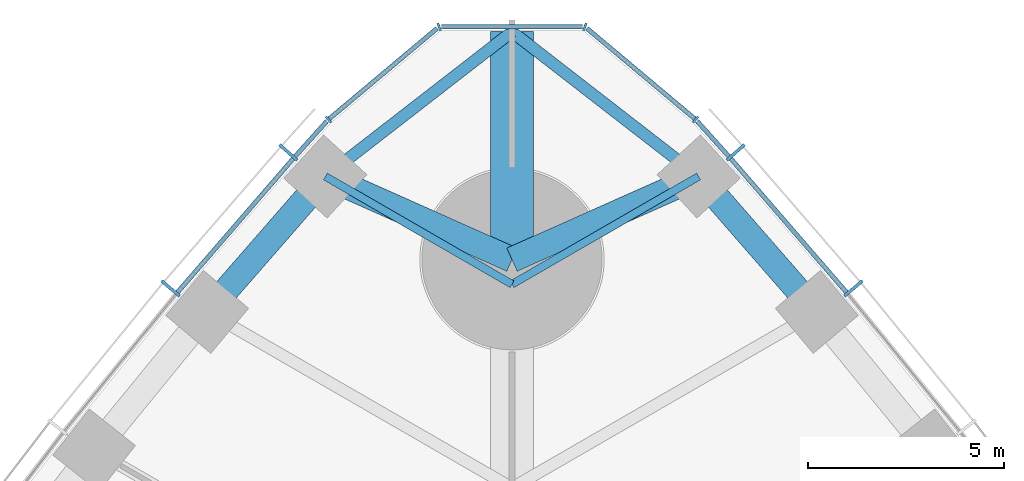
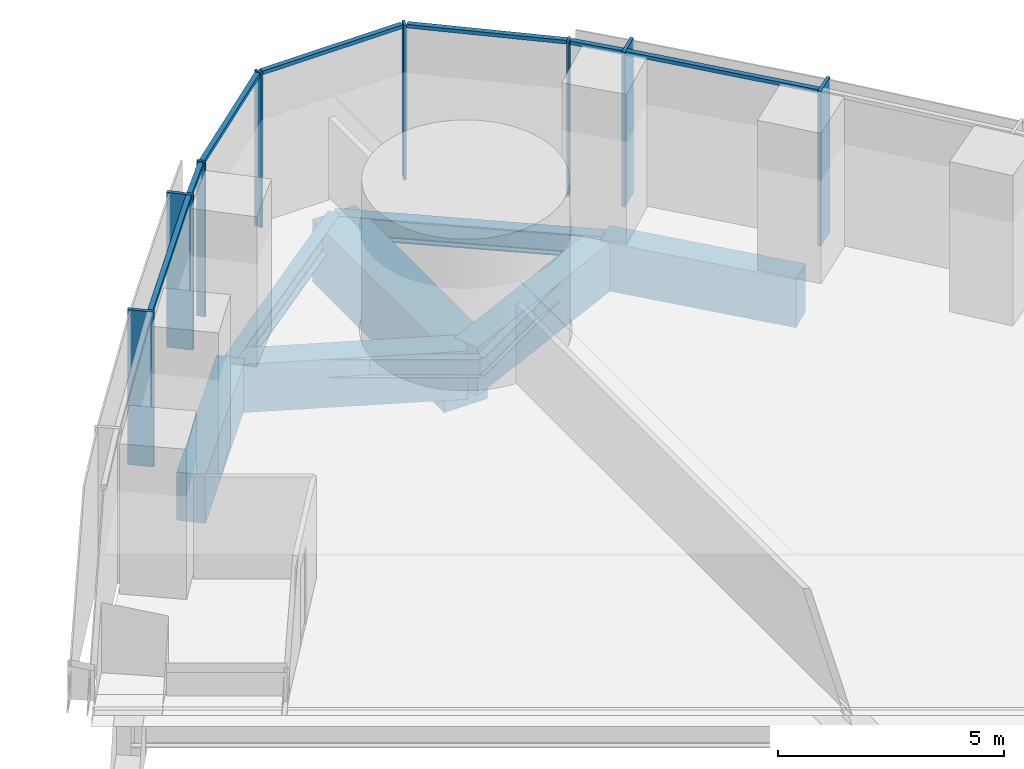
# One storey, part 7 of 18: 15 members, 9 beams, 3 elements without a shape of their own.
"""IFC4 building model written with IfcOpenShell, lengths in metres."""

from ifc_helpers import new_model, si_unit, direction, frame, origin, origin_2d, place, context, subcontext, project, spatial, rectangle, i_section, extrude, material, material_profile, profile_set, type_object, element, aggregate, save


model = new_model("IFC4")

# Units and contexts
model_context = context("Model", 3, precision=1e-05, world=origin(), true_north=direction((0.0, 1.0)))
body_context = subcontext(model_context, "Body", "Model", "MODEL_VIEW")
ifc_project = project(units=[si_unit("LENGTHUNIT", "METRE"), si_unit("AREAUNIT", "SQUARE_METRE"), si_unit("VOLUMEUNIT", "CUBIC_METRE"), si_unit("PLANEANGLEUNIT", "RADIAN"), si_unit("MASSUNIT", "GRAM", prefix="KILO")], contexts=[model_context])

# Site, building, storey
site_placement = place(None, origin())
site = spatial("IfcSite", under=ifc_project, at=site_placement, CompositionType="ELEMENT")
building_placement = place(site_placement, origin())
building = spatial("IfcBuilding", under=site, at=building_placement, Name="Trefoil Bronze Tower", CompositionType="ELEMENT")
storey_placement = place(building_placement, frame((0.0, 0.0, 29.10009765625)))
storey = spatial("IfcBuildingStorey", under=building, at=storey_placement, Name="L06", CompositionType="ELEMENT", Elevation=29.10009765625)

# Curtain wall, members
ifc_material_1 = material(Name="Tinted solar-control glass", Category="glass")
curtain_wall_type_1 = type_object("IfcCurtainWallType", Name="Bronze office curtain wall", PredefinedType="USERDEFINED", material=ifc_material_1)
curtain_wall_1_placement = place(storey_placement, origin())
curtain_wall_1 = element("IfcCurtainWall", 1, at=curtain_wall_1_placement, inside=storey, type_object=curtain_wall_type_1, Name="CW-A L06 F2", ObjectType="CURTAIN WALL", PredefinedType="USERDEFINED")
ifc_material_2 = material(Name="Bronze-finish aluminium", Category="aluminium")
ifc_material_profile_1 = material_profile(ifc_material_2, rectangle(XDim=0.60009765625, YDim=0.080078125, at=origin_2d()), Name="CW-A mullion")
ifc_profile_set_1 = profile_set([ifc_material_profile_1], Name="Bronze-finish aluminium")
member_type_1 = type_object("IfcMemberType", Name="Bronze office curtain wall mullion", PredefinedType="MULLION", material=ifc_profile_set_1)
member_1_placement = place(storey_placement, frame((8.709716796875, 36.265869140625, 0.0), z_axis=(0.0, 0.0, 1.0), x_axis=(-0.765729101889, -0.643163231629, 0.0)))
member_1 = element("IfcMember", 2, at=member_1_placement, type_object=member_type_1, Name="CW-A L06 F2 mullion 15", PredefinedType="MULLION", context=body_context, shape_type="SweptSolid", body=[
    extrude(rectangle(XDim=0.60009765625, YDim=0.080078125, at=origin_2d()), origin(), (0.0, 0.0, 1.0), 4.179931640625),
])
member_2_placement = place(storey_placement, frame((5.70654296875, 39.736328125, 0.0), z_axis=(0.0, 0.0, 1.0), x_axis=(-0.7499405861, -0.661505190698, 0.0)))
member_2 = element("IfcMember", 3, at=member_2_placement, type_object=member_type_1, Name="CW-A L06 F2 mullion 16", PredefinedType="MULLION", context=body_context, shape_type="SweptSolid", body=[
    extrude(rectangle(XDim=0.60009765625, YDim=0.080078125, at=origin_2d()), origin(), (0.0, 0.0, 1.0), 4.179931640625),
])

curtain_wall_2_placement = place(storey_placement, origin())
curtain_wall_2 = element("IfcCurtainWall", 4, at=curtain_wall_2_placement, inside=storey, type_object=curtain_wall_type_1, Name="CW-A L06 F3", ObjectType="CURTAIN WALL", PredefinedType="USERDEFINED")
member_3_placement = place(storey_placement, frame((-5.70654296875, 39.736328125, 0.0), z_axis=(0.0, 0.0, 1.0), x_axis=(0.7499405861, -0.661505190698, 0.0)))
member_3 = element("IfcMember", 5, at=member_3_placement, type_object=member_type_1, Name="CW-A L06 F3 mullion 2", PredefinedType="MULLION", context=body_context, shape_type="SweptSolid", body=[
    extrude(rectangle(XDim=0.60009765625, YDim=0.080078125, at=origin_2d()), origin(), (0.0, 0.0, 1.0), 4.179931640625),
])
member_4_placement = place(storey_placement, frame((-8.709716796875, 36.265869140625, 0.0), z_axis=(0.0, 0.0, 1.0), x_axis=(0.765729101889, -0.643163231629, 0.0)))
member_4 = element("IfcMember", 6, at=member_4_placement, type_object=member_type_1, Name="CW-A L06 F3 mullion 3", PredefinedType="MULLION", context=body_context, shape_type="SweptSolid", body=[
    extrude(rectangle(XDim=0.60009765625, YDim=0.080078125, at=origin_2d()), origin(), (0.0, 0.0, 1.0), 4.179931640625),
])

# Member
ifc_material_3 = material(Name="Bronze-finish aluminium", Category="aluminium")
ifc_material_profile_2 = material_profile(ifc_material_3, rectangle(XDim=0.1201171875, YDim=0.10009765625, at=origin_2d()), Name="CW-A transom")
ifc_profile_set_2 = profile_set([ifc_material_profile_2], Name="Bronze-finish aluminium")
member_type_2 = type_object("IfcMemberType", Name="Bronze office curtain wall transom", PredefinedType="USERDEFINED", material=ifc_profile_set_2)
member_5_placement = place(storey_placement, frame((8.529541015625, 36.16845703125, 4.1298828125), z_axis=(-0.654383303203, 0.75616300656, 0.0), x_axis=(-0.75616300656, -0.654383303203, 0.0)))
member_5 = element("IfcMember", 7, at=member_5_placement, type_object=member_type_2, Name="CW-A L06 F2 transom 15", ObjectType="TRANSOM", PredefinedType="USERDEFINED", context=body_context, shape_type="SweptSolid", body=[
    extrude(rectangle(XDim=0.1201171875, YDim=0.10009765625, at=origin_2d()), origin(), (0.0, 0.0, 1.0), 4.50244140625),
])

member_6_placement = place(storey_placement, frame((5.529052734375, 39.634521484375, 4.1298828125), z_axis=(-0.66858567461, 0.743635122695, 0.0), x_axis=(-0.743635122695, -0.66858567461, 0.0)))
member_6 = element("IfcMember", 8, at=member_6_placement, type_object=member_type_2, Name="CW-A L06 F2 transom 16", ObjectType="TRANSOM", PredefinedType="USERDEFINED", context=body_context, shape_type="SweptSolid", body=[
    extrude(rectangle(XDim=0.1201171875, YDim=0.10009765625, at=origin_2d()), origin(), (0.0, 0.0, 1.0), 1.210205078125),
])

aggregate(curtain_wall_1, [member_1, member_2, member_5, member_6])

member_7_placement = place(storey_placement, frame((-4.719970703125, 40.534423828125, 4.1298828125), z_axis=(-0.66858567461, -0.743635122695, 0.0), x_axis=(0.743635122695, -0.66858567461, 0.0)))
member_7 = element("IfcMember", 9, at=member_7_placement, type_object=member_type_2, Name="CW-A L06 F3 transom 1", ObjectType="TRANSOM", PredefinedType="USERDEFINED", context=body_context, shape_type="SweptSolid", body=[
    extrude(rectangle(XDim=0.1201171875, YDim=0.10009765625, at=origin_2d()), origin(), (0.0, 0.0, 1.0), 1.210205078125),
])

member_8_placement = place(storey_placement, frame((-5.583251953125, 39.572998046875, 4.1298828125), z_axis=(-0.654383303203, -0.75616300656, 0.0), x_axis=(0.75616300656, -0.654383303203, 0.0)))
member_8 = element("IfcMember", 10, at=member_8_placement, type_object=member_type_2, Name="CW-A L06 F3 transom 2", ObjectType="TRANSOM", PredefinedType="USERDEFINED", context=body_context, shape_type="SweptSolid", body=[
    extrude(rectangle(XDim=0.1201171875, YDim=0.10009765625, at=origin_2d()), origin(), (0.0, 0.0, 1.0), 4.50244140625),
])

aggregate(curtain_wall_2, [member_3, member_4, member_7, member_8])

# Curtain wall, members
ifc_material_4 = material(Name="Tinted solar-control glass", Category="glass")
curtain_wall_type_2 = type_object("IfcCurtainWallType", Name="Bronze rounded corner curtain wall", PredefinedType="USERDEFINED", material=ifc_material_4)
curtain_wall_3_placement = place(storey_placement, origin())
curtain_wall_3 = element("IfcCurtainWall", 11, at=curtain_wall_3_placement, inside=storey, type_object=curtain_wall_type_2, Name="CW-B L06 K2", ObjectType="CURTAIN WALL", PredefinedType="USERDEFINED")
ifc_material_5 = material(Name="Bronze-finish aluminium", Category="aluminium")
ifc_material_profile_3 = material_profile(ifc_material_5, rectangle(XDim=0.199951171875, YDim=0.06005859375, at=origin_2d()), Name="CW-B mullion")
ifc_profile_set_3 = profile_set([ifc_material_profile_3], Name="Bronze-finish aluminium")
member_type_3 = type_object("IfcMemberType", Name="Bronze rounded corner curtain wall mullion", PredefinedType="MULLION", material=ifc_profile_set_3)
member_9_placement = place(storey_placement, frame((4.68310546875, 40.573974609375, 0.0), z_axis=(0.0, 0.0, 1.0), x_axis=(-0.642787609687, -0.766044443119, 0.0)))
member_9 = element("IfcMember", 12, at=member_9_placement, type_object=member_type_3, Name="CW-B L06 K2 mullion 1", PredefinedType="MULLION", context=body_context, shape_type="SweptSolid", body=[
    extrude(rectangle(XDim=0.199951171875, YDim=0.06005859375, at=origin_2d()), origin(), (0.0, 0.0, 1.0), 4.179931640625),
])
member_10_placement = place(storey_placement, frame((1.8583984375, 42.9365234375, 0.0), z_axis=(0.0, 0.0, 1.0), x_axis=(-0.342020143326, -0.939692620786, 0.0)))
member_10 = element("IfcMember", 13, at=member_10_placement, type_object=member_type_3, Name="CW-B L06 K2 mullion 2", PredefinedType="MULLION", context=body_context, shape_type="SweptSolid", body=[
    extrude(rectangle(XDim=0.199951171875, YDim=0.06005859375, at=origin_2d()), origin(), (0.0, 0.0, 1.0), 4.179931640625),
])
member_11_placement = place(storey_placement, frame((-1.8583984375, 42.9365234375, 0.0), z_axis=(0.0, 0.0, 1.0), x_axis=(0.342020143326, -0.939692620786, 0.0)))
member_11 = element("IfcMember", 14, at=member_11_placement, type_object=member_type_3, Name="CW-B L06 K2 mullion 3", PredefinedType="MULLION", context=body_context, shape_type="SweptSolid", body=[
    extrude(rectangle(XDim=0.199951171875, YDim=0.06005859375, at=origin_2d()), origin(), (0.0, 0.0, 1.0), 4.179931640625),
])
member_12_placement = place(storey_placement, frame((-4.68310546875, 40.573974609375, 0.0), z_axis=(0.0, 0.0, 1.0), x_axis=(0.642787609687, -0.766044443119, 0.0)))
member_12 = element("IfcMember", 15, at=member_12_placement, type_object=member_type_3, Name="CW-B L06 K2 mullion 4", PredefinedType="MULLION", context=body_context, shape_type="SweptSolid", body=[
    extrude(rectangle(XDim=0.199951171875, YDim=0.06005859375, at=origin_2d()), origin(), (0.0, 0.0, 1.0), 4.179931640625),
])
ifc_material_6 = material(Name="Bronze-finish aluminium", Category="aluminium")
ifc_material_profile_4 = material_profile(ifc_material_6, rectangle(XDim=0.1201171875, YDim=0.10009765625, at=origin_2d()), Name="CW-B transom")
ifc_profile_set_4 = profile_set([ifc_material_profile_4], Name="Bronze-finish aluminium")
member_type_4 = type_object("IfcMemberType", Name="Bronze rounded corner curtain wall transom", PredefinedType="USERDEFINED", material=ifc_profile_set_4)
member_13_placement = place(storey_placement, frame((4.66015625, 40.59326171875, 4.1298828125), z_axis=(-0.766058606238, 0.642770730361, 0.0), x_axis=(-0.642770730361, -0.766058606238, 0.0)))
member_13 = element("IfcMember", 16, at=member_13_placement, type_object=member_type_4, Name="CW-B L06 K2 transom 1", ObjectType="TRANSOM", PredefinedType="USERDEFINED", context=body_context, shape_type="SweptSolid", body=[
    extrude(rectangle(XDim=0.1201171875, YDim=0.10009765625, at=origin_2d()), origin(), (0.0, 0.0, 1.0), 3.588134765625),
])
member_14_placement = place(storey_placement, frame((1.794189453125, 42.9423828125, 4.1298828125), z_axis=(-1.0, 0.0, 0.0), x_axis=(0.0, -1.0, 0.0)))
member_14 = element("IfcMember", 17, at=member_14_placement, type_object=member_type_4, Name="CW-B L06 K2 transom 2", ObjectType="TRANSOM", PredefinedType="USERDEFINED", context=body_context, shape_type="SweptSolid", body=[
    extrude(rectangle(XDim=0.1201171875, YDim=0.10009765625, at=origin_2d()), origin(), (0.0, 0.0, 1.0), 3.58837890625),
])
member_15_placement = place(storey_placement, frame((-1.911376953125, 42.899658203125, 4.1298828125), z_axis=(-0.766058606238, -0.642770730361, 0.0), x_axis=(0.642770730361, -0.766058606238, 0.0)))
member_15 = element("IfcMember", 18, at=member_15_placement, type_object=member_type_4, Name="CW-B L06 K2 transom 3", ObjectType="TRANSOM", PredefinedType="USERDEFINED", context=body_context, shape_type="SweptSolid", body=[
    extrude(rectangle(XDim=0.1201171875, YDim=0.10009765625, at=origin_2d()), origin(), (0.0, 0.0, 1.0), 3.588134765625),
])
aggregate(curtain_wall_3, [member_9, member_10, member_11, member_12, member_13, member_14, member_15])

# Beams
ifc_material_7 = material(Name="Concrete B80", Category="concrete")
ifc_material_profile_5 = material_profile(ifc_material_7, rectangle(XDim=1.10009765625, YDim=1.699951171875, at=origin_2d()), Name="RC 1100x1700")
ifc_profile_set_5 = profile_set([ifc_material_profile_5], Name="Concrete B80")
beam_type_1 = type_object("IfcBeamType", Name="Corner cantilever RC 1100x1700", PredefinedType="BEAM", material=ifc_profile_set_5)
beam_placement = place(storey_placement, frame((0.0, 37.0, -1.050048828125), z_axis=(0.0, 1.0, 0.0), x_axis=(-1.0, 0.0, 0.0)))
element("IfcBeam", 19, at=beam_placement, inside=storey, type_object=beam_type_1, Name="Corner cantilever K2 L06", PredefinedType="BEAM", context=body_context, shape_type="SweptSolid", body=[
    extrude(rectangle(XDim=1.10009765625, YDim=1.699951171875, at=origin_2d()), origin(), (0.0, 0.0, 1.0), 5.814208984375),
])
ifc_material_8 = material(Name="Steel C355", Category="steel")
ifc_material_profile_6 = material_profile(ifc_material_8, i_section(OverallWidth=0.300048828125, OverallDepth=0.60009765625, WebThickness=0.015380859375, FlangeThickness=0.030029296875, FilletRadius=0.027099609375, at=origin_2d()), Name="HEB 600")
ifc_profile_set_6 = profile_set([ifc_material_profile_6], Name="Steel C355")
beam_type_2 = type_object("IfcBeamType", Name="Corner edge beam HEB 600", PredefinedType="BEAM", material=ifc_profile_set_6)
for number, where, z_axis, x_axis, name in (
    (20, (4.76171875, 39.122314453125, -0.5), (-0.790289474622, 0.612733666696, 0.0), (-0.612733666696, -0.790289474622, 0.0), "Corner edge beam F2A L06"),
    (21, (-4.76171875, 39.122314453125, -0.5), (0.790289474622, 0.612733666696, 0.0), (-0.612733666696, 0.790289474622, 0.0), "Corner edge beam F3B L06"),
):
    element("IfcBeam", number, at=place(storey_placement, frame(where, z_axis=z_axis, x_axis=x_axis)), inside=storey, type_object=beam_type_2, Name=name, PredefinedType="BEAM", context=body_context, shape_type="SweptSolid", body=[
        extrude(i_section(OverallWidth=0.300048828125, OverallDepth=0.60009765625, WebThickness=0.015380859375, FlangeThickness=0.030029296875, FilletRadius=0.027099609375, at=origin_2d()), origin(), (0.0, 0.0, 1.0), 6.025390625),
    ])
ifc_material_9 = material(Name="Concrete B80", Category="concrete")
ifc_material_profile_7 = material_profile(ifc_material_9, rectangle(XDim=0.64990234375, YDim=1.300048828125, at=origin_2d()), Name="RC 650x1300")
ifc_profile_set_7 = profile_set([ifc_material_profile_7], Name="Concrete B80")
beam_type_3 = type_object("IfcBeamType", Name="End spandrel beam RC 650x1300", PredefinedType="SPANDREL", material=ifc_profile_set_7)
for number, where, z_axis, x_axis, name in (
    (22, (4.76171875, 39.122314453125, -0.85009765625), (-0.913384257879, -0.407098510754, 0.0), (0.407098510754, -0.913384257879, 0.0), "Spandrel F2.16 L06"),
    (23, (0.0, 37.0, -0.85009765625), (-0.913384257879, 0.407098510754, 0.0), (-0.407098510754, -0.913384257879, 0.0), "Spandrel F3.1 L06"),
):
    element("IfcBeam", number, at=place(storey_placement, frame(where, z_axis=z_axis, x_axis=x_axis)), inside=storey, type_object=beam_type_3, Name=name, PredefinedType="SPANDREL", context=body_context, shape_type="SweptSolid", body=[
        extrude(rectangle(XDim=0.64990234375, YDim=1.300048828125, at=origin_2d()), origin(), (0.0, 0.0, 1.0), 5.21337890625),
    ])
ifc_material_10 = material(Name="Steel C355", Category="steel")
ifc_material_profile_8 = material_profile(ifc_material_10, i_section(OverallWidth=0.199951171875, OverallDepth=0.5, WebThickness=0.01025390625, FlangeThickness=0.01611328125, FilletRadius=0.02099609375, at=origin_2d()), Name="IPE 500")
ifc_profile_set_8 = profile_set([ifc_material_profile_8], Name="Steel C355")
beam_type_4 = type_object("IfcBeamType", Name="Floor beam IPE 500", PredefinedType="BEAM", material=ifc_profile_set_8)
for number, where, z_axis, x_axis, name in (
    (24, (4.76171875, 39.122314453125, -0.4501953125), (-0.866018475376, -0.500012000164, 0.0), (0.500012000164, -0.866018475376, 0.0), "Floor beam F2/+7 L06"),
    (25, (-4.76171875, 39.122314453125, -0.4501953125), (0.866018475376, -0.500012000164, 0.0), (0.500012000164, 0.866018475376, 0.0), "Floor beam F3/-7 L06"),
):
    element("IfcBeam", number, at=place(storey_placement, frame(where, z_axis=z_axis, x_axis=x_axis)), inside=storey, type_object=beam_type_4, Name=name, PredefinedType="BEAM", context=body_context, shape_type="SweptSolid", body=[
        extrude(i_section(OverallWidth=0.199951171875, OverallDepth=0.5, WebThickness=0.01025390625, FlangeThickness=0.01611328125, FilletRadius=0.02099609375, at=origin_2d()), origin(), (0.0, 0.0, 1.0), 5.498291015625),
    ])
ifc_material_11 = material(Name="Concrete B80", Category="concrete")
ifc_material_profile_9 = material_profile(ifc_material_11, rectangle(XDim=0.64990234375, YDim=1.300048828125, at=origin_2d()), Name="RC 650x1300")
ifc_profile_set_9 = profile_set([ifc_material_profile_9], Name="Concrete B80")
beam_type_5 = type_object("IfcBeamType", Name="Spandrel beam RC 650x1300", PredefinedType="SPANDREL", material=ifc_profile_set_9)
for number, where, z_axis, x_axis, name in (
    (26, (7.7763671875, 35.666748046875, -0.85009765625), (-0.657395767989, 0.753545489158, 0.0), (-0.753545489158, -0.657395767989, 0.0), "Spandrel F2.15 L06"),
    (27, (-4.76171875, 39.122314453125, -0.85009765625), (-0.657395767989, -0.753545489158, 0.0), (0.753545489158, -0.657395767989, 0.0), "Spandrel F3.2 L06"),
):
    element("IfcBeam", number, at=place(storey_placement, frame(where, z_axis=z_axis, x_axis=x_axis)), inside=storey, type_object=beam_type_5, Name=name, PredefinedType="SPANDREL", context=body_context, shape_type="SweptSolid", body=[
        extrude(rectangle(XDim=0.64990234375, YDim=1.300048828125, at=origin_2d()), origin(), (0.0, 0.0, 1.0), 4.585693359375),
    ])

save(model, "model.ifc")
